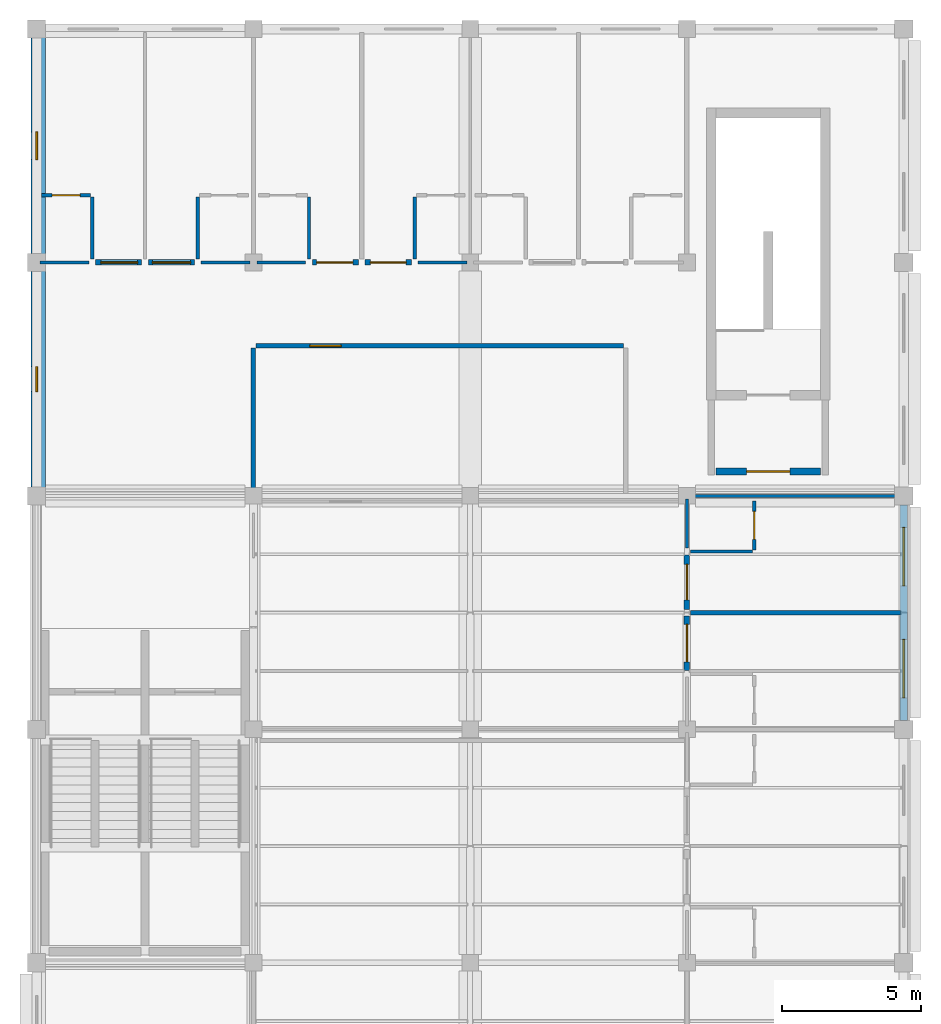
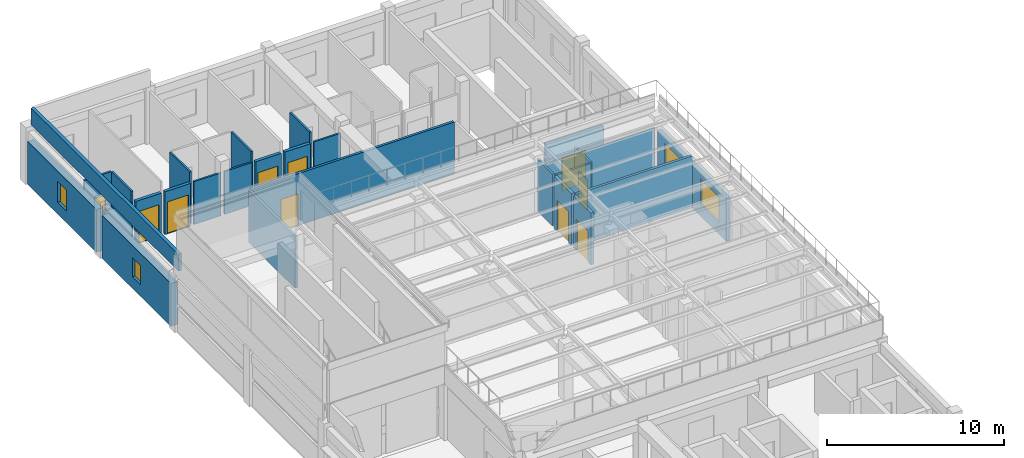
# One storey, part 17 of 20: 27 walls, 10 doors, 4 windows, 14 openings.
"""IFC4 building model written with IfcOpenShell, lengths in metres."""

from ifc_helpers import new_model, si_unit, direction, frame, frame_2d, origin, place, context, subcontext, project, spatial, rectangle, extrude, material, layer, layer_set, type_object, element, fill, save


model = new_model("IFC4")

# Units and contexts
model_context = context("Model", 3, precision=1e-05, world=origin(), true_north=direction((0.0, 1.0)))
body_context = subcontext(model_context, "Body", "Model", "MODEL_VIEW")
ifc_project = project(units=[si_unit("LENGTHUNIT", "METRE"), si_unit("AREAUNIT", "SQUARE_METRE"), si_unit("VOLUMEUNIT", "CUBIC_METRE"), si_unit("PLANEANGLEUNIT", "RADIAN"), si_unit("MASSUNIT", "GRAM", prefix="KILO"), si_unit("THERMODYNAMICTEMPERATUREUNIT", "KELVIN"), si_unit("POWERUNIT", "WATT")], contexts=[model_context])

# Site, building, storey
site_placement = place(None, origin())
site = spatial("IfcSite", under=ifc_project, at=site_placement, CompositionType="ELEMENT")
building_placement = place(site_placement, origin())
building = spatial("IfcBuilding", under=site, at=building_placement, Name="Srebrne Nadtorze General Hospital", CompositionType="ELEMENT")
storey_placement = place(building_placement, frame((0.0, 0.0, 33.89990234375)))
storey = spatial("IfcBuildingStorey", under=building, at=storey_placement, Name="L08", CompositionType="ELEMENT", Elevation=33.89990234375)

# Wall, opening, window
ifc_material_1 = material(Name="Concrete C40/50", Category="concrete")
ifc_layer_1 = layer(ifc_material_1, 0.419921875)
ifc_layer_set_1 = layer_set([ifc_layer_1], Name="Concrete C40/50")
wall_type_1 = type_object("IfcWallType", Name="Acoustic buffer wall 420", PredefinedType="SOLIDWALL", material=ifc_layer_set_1)
wall_1_placement = place(storey_placement, frame((23.39990234375, 75.925048828125, 0.0), z_axis=(0.0, 0.0, 1.0), x_axis=(0.0, 1.0, 0.0)))
wall_1 = element("IfcWall", 1, at=wall_1_placement, inside=storey, type_object=wall_type_1, Name="Exterior wall WL-ENV-L08-0563", PredefinedType="SOLIDWALL", context=body_context, shape_type="SweptSolid", body=[
    extrude(rectangle(XDim=7.75, YDim=0.419921875, at=frame_2d((3.875, 0.0))), origin(), (0.0, 0.0, 1.0), 2.9501953125),
])
opening_1_placement = place(wall_1_placement, frame((3.425048828125, 0.0, 0.800048828125)))
opening_1 = element("IfcOpeningElement", 2, at=opening_1_placement, cuts=wall_1, Name="Opening WN-L08-0946", PredefinedType="OPENING", context=body_context, shape_type="SweptSolid", body=[
    extrude(rectangle(XDim=0.89990234375, YDim=1.300048828125, at=frame_2d((0.449951171875, 0.64990234375))), frame((0.0, 0.221923828125, 0.0), z_axis=(0.0, -1.0, 0.0), x_axis=(1.0, 0.0, 0.0)), (0.0, 0.0, 1.0), 0.44384765625),
])
ifc_material_2 = material(Name="Triple Low-E Glazing", Category="glass")
window_type_1 = type_object("IfcWindowType", Name="Punched clinical window 900x1300", PartitioningType="SINGLE_PANEL", PredefinedType="WINDOW", material=ifc_material_2)
window_1_placement = place(opening_1_placement, origin())
window_1 = element("IfcWindow", 3, at=window_1_placement, inside=storey, type_object=window_type_1, Name="Clinical window WN-L08-0946", OverallHeight=1.300048828125, OverallWidth=0.89990234375, PartitioningType="SINGLE_PANEL", PredefinedType="WINDOW", context=body_context, shape_type="SweptSolid", body=[
    extrude(rectangle(XDim=0.89990234375, YDim=1.300048828125, at=frame_2d((0.449951171875, 0.64990234375))), frame((0.0, 0.030029296875, 0.0), z_axis=(0.0, -1.0, 0.0), x_axis=(1.0, 0.0, 0.0)), (0.0, 0.0, 1.0), 0.06005859375),
])
fill(opening_1, window_1)

wall_2_placement = place(storey_placement, frame((23.39990234375, 84.324951171875, 0.0), z_axis=(0.0, 0.0, 1.0), x_axis=(0.0, 1.0, 0.0)))
wall_2 = element("IfcWall", 4, at=wall_2_placement, inside=storey, type_object=wall_type_1, Name="Exterior wall WL-ENV-L08-0564", PredefinedType="SOLIDWALL", context=body_context, shape_type="SweptSolid", body=[
    extrude(rectangle(XDim=7.75, YDim=0.419921875, at=frame_2d((3.875, 0.0))), origin(), (0.0, 0.0, 1.0), 2.9501953125),
])
opening_2_placement = place(wall_2_placement, frame((3.375, 0.0, 0.800048828125)))
opening_2 = element("IfcOpeningElement", 5, at=opening_2_placement, cuts=wall_2, Name="Opening WN-L08-0947", PredefinedType="OPENING", context=body_context, shape_type="SweptSolid", body=[
    extrude(rectangle(XDim=1.0, YDim=1.449951171875, at=frame_2d((0.5, 0.72509765625))), frame((0.0, 0.221923828125, 0.0), z_axis=(0.0, -1.0, 0.0), x_axis=(1.0, 0.0, 0.0)), (0.0, 0.0, 1.0), 0.44384765625),
])
ifc_material_3 = material(Name="Triple Low-E Glazing", Category="glass")
window_type_2 = type_object("IfcWindowType", Name="Punched clinical window 1000x1450", PartitioningType="SINGLE_PANEL", PredefinedType="WINDOW", material=ifc_material_3)
window_2_placement = place(opening_2_placement, origin())
window_2 = element("IfcWindow", 6, at=window_2_placement, inside=storey, type_object=window_type_2, Name="Clinical window WN-L08-0947", OverallHeight=1.449951171875, OverallWidth=1.0, PartitioningType="SINGLE_PANEL", PredefinedType="WINDOW", context=body_context, shape_type="SweptSolid", body=[
    extrude(rectangle(XDim=1.0, YDim=1.449951171875, at=frame_2d((0.5, 0.72509765625))), frame((0.0, 0.030029296875, 0.0), z_axis=(0.0, -1.0, 0.0), x_axis=(1.0, 0.0, 0.0)), (0.0, 0.0, 1.0), 0.06005859375),
])
fill(opening_2, window_2)

# Wall
ifc_material_4 = material(Name="Gypsum Healthcare Partition")
ifc_layer_2 = layer(ifc_material_4, 0.159912109375)
ifc_layer_set_2 = layer_set([ifc_layer_2], Name="Gypsum Healthcare Partition")
wall_type_2 = type_object("IfcWallType", Name="Clinical partition 160", PredefinedType="PARTITIONING", material=ifc_layer_set_2)
wall_3_placement = place(storey_placement, frame((46.919921875, 71.39990234375, 0.0), z_axis=(0.0, 0.0, 1.0), x_axis=(1.0, 0.0, 0.0)))
element("IfcWall", 7, at=wall_3_placement, inside=storey, type_object=wall_type_2, Name="Ward inter-room partition WL-INT-L08-2511", PredefinedType="PARTITIONING", context=body_context, shape_type="SweptSolid", body=[
    extrude(rectangle(XDim=7.56005859375, YDim=0.159912109375, at=frame_2d((3.780029296875, 0.0))), origin(), (0.0, 0.0, 1.0), 3.580078125),
])

# Wall, opening, door
wall_4_placement = place(storey_placement, frame((31.284912109375, 81.0, 0.0), z_axis=(0.0, 0.0, 1.0), x_axis=(1.0, 0.0, 0.0)))
wall_4 = element("IfcWall", 8, at=wall_4_placement, inside=storey, type_object=wall_type_2, Name="Flight Medical Crew Readiness Room wall WL-INT-L08-2527", PredefinedType="PARTITIONING", context=body_context, shape_type="SweptSolid", body=[
    extrude(rectangle(XDim=13.22998046875, YDim=0.159912109375, at=frame_2d((6.614990234375, 0.0))), origin(), (0.0, 0.0, 1.0), 3.580078125),
])
opening_3_placement = place(wall_4_placement, frame((1.948486328125, 0.0, 0.0)))
opening_3 = element("IfcOpeningElement", 9, at=opening_3_placement, cuts=wall_4, Name="Opening D-L08-0595", PredefinedType="OPENING", context=body_context, shape_type="SweptSolid", body=[
    extrude(rectangle(XDim=1.1201171875, YDim=2.199951171875, at=frame_2d((0.56005859375, 1.10009765625))), frame((0.0, 0.091796875, 0.0), z_axis=(0.0, -1.0, 0.0), x_axis=(1.0, 0.0, 0.0)), (0.0, 0.0, 1.0), 0.183837890625),
])
ifc_material_5 = material(Name="Anodised Aluminium", Category="aluminium")
door_type_1 = type_object("IfcDoorType", Name="Single leaf door 1120x2200", OperationType="NOTDEFINED", PredefinedType="DOOR", material=ifc_material_5)
door_1_placement = place(opening_3_placement, frame((1.1201171875, 0.0, 0.0), z_axis=(0.0, 0.0, 1.0), x_axis=(-1.0, 0.0, 0.0)))
door_1 = element("IfcDoor", 10, at=door_1_placement, inside=storey, type_object=door_type_1, Name="Flight Medical Crew Readiness Room door D-L08-0595", OperationType="SINGLE_SWING_RIGHT", OverallHeight=2.199951171875, OverallWidth=1.1201171875, PredefinedType="DOOR", context=body_context, shape_type="SweptSolid", body=[
    extrude(rectangle(XDim=1.1201171875, YDim=2.199951171875, at=frame_2d((0.56005859375, 1.10009765625))), frame((0.0, 0.02490234375, 0.0), z_axis=(0.0, -1.0, 0.0), x_axis=(1.0, 0.0, 0.0)), (0.0, 0.0, 1.0), 0.050048828125),
])
fill(opening_3, door_1)

# Wall
wall_5_placement = place(storey_placement, frame((31.199951171875, 75.68505859375, 0.0), z_axis=(0.0, 0.0, 1.0), x_axis=(0.0, 1.0, 0.0)))
element("IfcWall", 11, at=wall_5_placement, inside=storey, type_object=wall_type_2, Name="Flight Medical Crew Readiness Room wall WL-INT-L08-2528", PredefinedType="PARTITIONING", context=body_context, shape_type="SweptSolid", body=[
    extrude(rectangle(XDim=5.22998046875, YDim=0.159912109375, at=frame_2d((2.614990234375, 0.0))), origin(), (0.0, 0.0, 1.0), 3.580078125),
])

# Wall, opening, door
ifc_material_6 = material(Name="Gypsum Healthcare Partition")
ifc_layer_3 = layer(ifc_material_6, 0.199951171875)
ifc_layer_set_3 = layer_set([ifc_layer_3], Name="Gypsum Healthcare Partition")
wall_type_3 = type_object("IfcWallType", Name="Compartment wall 200", PredefinedType="STANDARD", material=ifc_layer_set_3)
wall_6_placement = place(storey_placement, frame((25.52001953125, 84.0, 0.0), z_axis=(0.0, 0.0, 1.0), x_axis=(1.0, 0.0, 0.0)))
wall_6 = element("IfcWall", 12, at=wall_6_placement, inside=storey, type_object=wall_type_3, Name="Ward corridor wall WL-INT-L08-2471", PredefinedType="STANDARD", context=body_context, shape_type="SweptSolid", body=[
    extrude(rectangle(XDim=1.659912109375, YDim=0.199951171875, at=frame_2d((0.830078125, 0.0))), origin(), (0.0, 0.0, 1.0), 2.9501953125),
])
opening_4_placement = place(wall_6_placement, frame((0.18994140625, 0.0, 0.0)))
opening_4 = element("IfcOpeningElement", 13, at=opening_4_placement, cuts=wall_6, Name="Opening D-L08-0573", PredefinedType="OPENING", context=body_context, shape_type="SweptSolid", body=[
    extrude(rectangle(XDim=1.320068359375, YDim=2.199951171875, at=frame_2d((0.66015625, 1.10009765625))), frame((0.0, 0.11181640625, 0.0), z_axis=(0.0, -1.0, 0.0), x_axis=(1.0, 0.0, 0.0)), (0.0, 0.0, 1.0), 0.223876953125),
])
ifc_material_7 = material(Name="Anodised Aluminium", Category="aluminium")
door_type_2 = type_object("IfcDoorType", Name="Single leaf door 1320x2200", OperationType="NOTDEFINED", PredefinedType="DOOR", material=ifc_material_7)
door_2_placement = place(opening_4_placement, origin())
door_2 = element("IfcDoor", 14, at=door_2_placement, inside=storey, type_object=door_type_2, Name="Ward patient room door D-L08-0573", OperationType="SINGLE_SWING_RIGHT", OverallHeight=2.199951171875, OverallWidth=1.320068359375, PredefinedType="DOOR", context=body_context, shape_type="SweptSolid", body=[
    extrude(rectangle(XDim=1.320068359375, YDim=2.199951171875, at=frame_2d((0.66015625, 1.10009765625))), frame((0.0, 0.02490234375, 0.0), z_axis=(0.0, -1.0, 0.0), x_axis=(1.0, 0.0, 0.0)), (0.0, 0.0, 1.0), 0.050048828125),
])
fill(opening_4, door_2)

wall_7_placement = place(storey_placement, frame((27.419921875, 84.0, 0.0), z_axis=(0.0, 0.0, 1.0), x_axis=(1.0, 0.0, 0.0)))
wall_7 = element("IfcWall", 15, at=wall_7_placement, inside=storey, type_object=wall_type_3, Name="Ward corridor wall WL-INT-L08-2476", PredefinedType="STANDARD", context=body_context, shape_type="SweptSolid", body=[
    extrude(rectangle(XDim=1.66015625, YDim=0.199951171875, at=frame_2d((0.830078125, 0.0))), origin(), (0.0, 0.0, 1.0), 2.9501953125),
])
opening_5_placement = place(wall_7_placement, frame((0.139892578125, 0.0, 0.0)))
opening_5 = element("IfcOpeningElement", 16, at=opening_5_placement, cuts=wall_7, Name="Opening D-L08-0575", PredefinedType="OPENING", context=body_context, shape_type="SweptSolid", body=[
    extrude(rectangle(XDim=1.3798828125, YDim=2.199951171875, at=frame_2d((0.68994140625, 1.10009765625))), frame((0.0, 0.11181640625, 0.0), z_axis=(0.0, -1.0, 0.0), x_axis=(1.0, 0.0, 0.0)), (0.0, 0.0, 1.0), 0.223876953125),
])
ifc_material_8 = material(Name="Anodised Aluminium", Category="aluminium")
door_type_3 = type_object("IfcDoorType", Name="Single leaf door 1380x2200", OperationType="NOTDEFINED", PredefinedType="DOOR", material=ifc_material_8)
door_3_placement = place(opening_5_placement, origin())
door_3 = element("IfcDoor", 17, at=door_3_placement, inside=storey, type_object=door_type_3, Name="Ward patient room door D-L08-0575", OperationType="SINGLE_SWING_LEFT", OverallHeight=2.199951171875, OverallWidth=1.3798828125, PredefinedType="DOOR", context=body_context, shape_type="SweptSolid", body=[
    extrude(rectangle(XDim=1.3798828125, YDim=2.199951171875, at=frame_2d((0.68994140625, 1.10009765625))), frame((0.0, 0.02490234375, 0.0), z_axis=(0.0, -1.0, 0.0), x_axis=(1.0, 0.0, 0.0)), (0.0, 0.0, 1.0), 0.050048828125),
])
fill(opening_5, door_3)

wall_8_placement = place(storey_placement, frame((33.320068359375, 84.0, 0.0), z_axis=(0.0, 0.0, 1.0), x_axis=(1.0, 0.0, 0.0)))
wall_8 = element("IfcWall", 18, at=wall_8_placement, inside=storey, type_object=wall_type_3, Name="Ward corridor wall WL-INT-L08-2481", PredefinedType="STANDARD", context=body_context, shape_type="SweptSolid", body=[
    extrude(rectangle(XDim=1.659912109375, YDim=0.199951171875, at=frame_2d((0.830078125, 0.0))), origin(), (0.0, 0.0, 1.0), 2.9501953125),
])
opening_6_placement = place(wall_8_placement, frame((0.155029296875, 0.0, 0.0)))
opening_6 = element("IfcOpeningElement", 19, at=opening_6_placement, cuts=wall_8, Name="Opening D-L08-0577", PredefinedType="OPENING", context=body_context, shape_type="SweptSolid", body=[
    extrude(rectangle(XDim=1.300048828125, YDim=2.14990234375, at=frame_2d((0.64990234375, 1.074951171875))), frame((0.0, 0.11181640625, 0.0), z_axis=(0.0, -1.0, 0.0), x_axis=(1.0, 0.0, 0.0)), (0.0, 0.0, 1.0), 0.223876953125),
])
ifc_material_9 = material(Name="Anodised Aluminium", Category="aluminium")
door_type_4 = type_object("IfcDoorType", Name="Single leaf door 1300x2150", OperationType="NOTDEFINED", PredefinedType="DOOR", material=ifc_material_9)
door_4_placement = place(opening_6_placement, origin())
door_4 = element("IfcDoor", 20, at=door_4_placement, inside=storey, type_object=door_type_4, Name="Ward patient room door D-L08-0577", OperationType="SINGLE_SWING_RIGHT", OverallHeight=2.14990234375, OverallWidth=1.300048828125, PredefinedType="DOOR", context=body_context, shape_type="SweptSolid", body=[
    extrude(rectangle(XDim=1.300048828125, YDim=2.14990234375, at=frame_2d((0.64990234375, 1.074951171875))), frame((0.0, 0.02490234375, 0.0), z_axis=(0.0, -1.0, 0.0), x_axis=(1.0, 0.0, 0.0)), (0.0, 0.0, 1.0), 0.050048828125),
])
fill(opening_6, door_4)

wall_9_placement = place(storey_placement, frame((35.219970703125, 84.0, 0.0), z_axis=(0.0, 0.0, 1.0), x_axis=(1.0, 0.0, 0.0)))
wall_9 = element("IfcWall", 21, at=wall_9_placement, inside=storey, type_object=wall_type_3, Name="Ward corridor wall WL-INT-L08-2486", PredefinedType="STANDARD", context=body_context, shape_type="SweptSolid", body=[
    extrude(rectangle(XDim=1.659912109375, YDim=0.199951171875, at=frame_2d((0.830078125, 0.0))), origin(), (0.0, 0.0, 1.0), 2.9501953125),
])
opening_7_placement = place(wall_9_placement, frame((0.18994140625, 0.0, 0.0)))
opening_7 = element("IfcOpeningElement", 22, at=opening_7_placement, cuts=wall_9, Name="Opening D-L08-0579", PredefinedType="OPENING", context=body_context, shape_type="SweptSolid", body=[
    extrude(rectangle(XDim=1.280029296875, YDim=2.14990234375, at=frame_2d((0.64013671875, 1.074951171875))), frame((0.0, 0.11181640625, 0.0), z_axis=(0.0, -1.0, 0.0), x_axis=(1.0, 0.0, 0.0)), (0.0, 0.0, 1.0), 0.223876953125),
])
ifc_material_10 = material(Name="Anodised Aluminium", Category="aluminium")
door_type_5 = type_object("IfcDoorType", Name="Single leaf door 1280x2150", OperationType="NOTDEFINED", PredefinedType="DOOR", material=ifc_material_10)
door_5_placement = place(opening_7_placement, origin())
door_5 = element("IfcDoor", 23, at=door_5_placement, inside=storey, type_object=door_type_5, Name="Ward patient room door D-L08-0579", OperationType="SINGLE_SWING_LEFT", OverallHeight=2.14990234375, OverallWidth=1.280029296875, PredefinedType="DOOR", context=body_context, shape_type="SweptSolid", body=[
    extrude(rectangle(XDim=1.280029296875, YDim=2.14990234375, at=frame_2d((0.64013671875, 1.074951171875))), frame((0.0, 0.02490234375, 0.0), z_axis=(0.0, -1.0, 0.0), x_axis=(1.0, 0.0, 0.0)), (0.0, 0.0, 1.0), 0.050048828125),
])
fill(opening_7, door_5)

wall_10_placement = place(storey_placement, frame((46.800048828125, 69.320068359375, 0.0), z_axis=(0.0, 0.0, 1.0), x_axis=(0.0, 1.0, 0.0)))
wall_10 = element("IfcWall", 24, at=wall_10_placement, inside=storey, type_object=wall_type_3, Name="Ward corridor wall WL-INT-L08-2512", PredefinedType="STANDARD", context=body_context, shape_type="SweptSolid", body=[
    extrude(rectangle(XDim=1.9599609375, YDim=0.199951171875, at=frame_2d((0.97998046875, 0.0))), origin(), (0.0, 0.0, 1.0), 3.580078125),
])
opening_8_placement = place(wall_10_placement, frame((0.304931640625, 0.0, 0.0)))
opening_8 = element("IfcOpeningElement", 25, at=opening_8_placement, cuts=wall_10, Name="Opening D-L08-0589", PredefinedType="OPENING", context=body_context, shape_type="SweptSolid", body=[
    extrude(rectangle(XDim=1.35009765625, YDim=2.14990234375, at=frame_2d((0.675048828125, 1.074951171875))), frame((0.0, 0.11181640625, 0.0), z_axis=(0.0, -1.0, 0.0), x_axis=(1.0, 0.0, 0.0)), (0.0, 0.0, 1.0), 0.223876953125),
])
ifc_material_11 = material(Name="Anodised Aluminium", Category="aluminium")
door_type_6 = type_object("IfcDoorType", Name="Single leaf door 1350x2150", OperationType="NOTDEFINED", PredefinedType="DOOR", material=ifc_material_11)
door_6_placement = place(opening_8_placement, frame((1.35009765625, 0.0, 0.0), z_axis=(0.0, 0.0, 1.0), x_axis=(-1.0, 0.0, 0.0)))
door_6 = element("IfcDoor", 26, at=door_6_placement, inside=storey, type_object=door_type_6, Name="Ward patient room door D-L08-0589", OperationType="SINGLE_SWING_LEFT", OverallHeight=2.14990234375, OverallWidth=1.35009765625, PredefinedType="DOOR", context=body_context, shape_type="SweptSolid", body=[
    extrude(rectangle(XDim=1.35009765625, YDim=2.14990234375, at=frame_2d((0.675048828125, 1.074951171875))), frame((0.0, 0.02490234375, 0.0), z_axis=(0.0, -1.0, 0.0), x_axis=(1.0, 0.0, 0.0)), (0.0, 0.0, 1.0), 0.050048828125),
])
fill(opening_8, door_6)

wall_11_placement = place(storey_placement, frame((46.800048828125, 71.52001953125, 0.0), z_axis=(0.0, 0.0, 1.0), x_axis=(0.0, 1.0, 0.0)))
wall_11 = element("IfcWall", 27, at=wall_11_placement, inside=storey, type_object=wall_type_3, Name="Ward corridor wall WL-INT-L08-2517", PredefinedType="STANDARD", context=body_context, shape_type="SweptSolid", body=[
    extrude(rectangle(XDim=1.9599609375, YDim=0.199951171875, at=frame_2d((0.97998046875, 0.0))), origin(), (0.0, 0.0, 1.0), 3.580078125),
])
opening_9_placement = place(wall_11_placement, frame((0.340087890625, 0.0, 0.0)))
opening_9 = element("IfcOpeningElement", 28, at=opening_9_placement, cuts=wall_11, Name="Opening D-L08-0591", PredefinedType="OPENING", context=body_context, shape_type="SweptSolid", body=[
    extrude(rectangle(XDim=1.280029296875, YDim=2.14990234375, at=frame_2d((0.64013671875, 1.074951171875))), frame((0.0, 0.11181640625, 0.0), z_axis=(0.0, -1.0, 0.0), x_axis=(1.0, 0.0, 0.0)), (0.0, 0.0, 1.0), 0.223876953125),
])
door_7_placement = place(opening_9_placement, frame((1.280029296875, 0.0, 0.0), z_axis=(0.0, 0.0, 1.0), x_axis=(-1.0, 0.0, 0.0)))
door_7 = element("IfcDoor", 29, at=door_7_placement, inside=storey, type_object=door_type_5, Name="Ward patient room door D-L08-0591", OperationType="SINGLE_SWING_LEFT", OverallHeight=2.14990234375, OverallWidth=1.280029296875, PredefinedType="DOOR", context=body_context, shape_type="SweptSolid", body=[
    extrude(rectangle(XDim=1.280029296875, YDim=2.14990234375, at=frame_2d((0.64013671875, 1.074951171875))), frame((0.0, 0.02490234375, 0.0), z_axis=(0.0, -1.0, 0.0), x_axis=(1.0, 0.0, 0.0)), (0.0, 0.0, 1.0), 0.050048828125),
])
fill(opening_9, door_7)

ifc_material_12 = material(Name="Gypsum Healthcare Partition")
ifc_layer_4 = layer(ifc_material_12, 0.239990234375)
ifc_layer_set_4 = layer_set([ifc_layer_4], Name="Gypsum Healthcare Partition")
wall_type_4 = type_object("IfcWallType", Name="Corridor fire wall 240", PredefinedType="STANDARD", material=ifc_layer_set_4)
wall_12_placement = place(storey_placement, frame((47.85009765625, 76.47509765625, 0.0), z_axis=(0.0, 0.0, 1.0), x_axis=(1.0, 0.0, 0.0)))
wall_12 = element("IfcWall", 30, at=wall_12_placement, inside=storey, type_object=wall_type_4, Name="Fire lobby entry wall ST-02 WL-INT-L08-0455", PredefinedType="STANDARD", context=body_context, shape_type="SweptSolid", body=[
    extrude(rectangle(XDim=3.75, YDim=0.239990234375, at=frame_2d((1.875, 0.0))), origin(), (0.0, 0.0, 1.0), 3.60009765625),
])
opening_10_placement = place(wall_12_placement, frame((1.10009765625, 0.0, 0.0)))
opening_10 = element("IfcOpeningElement", 31, at=opening_10_placement, cuts=wall_12, Name="Opening D-L08-0114", PredefinedType="OPENING", context=body_context, shape_type="SweptSolid", body=[
    extrude(rectangle(XDim=1.550048828125, YDim=2.25, at=frame_2d((0.77490234375, 1.125))), frame((0.0, 0.1318359375, 0.0), z_axis=(0.0, -1.0, 0.0), x_axis=(1.0, 0.0, 0.0)), (0.0, 0.0, 1.0), 0.263916015625),
])
ifc_material_13 = material(Name="Anodised Aluminium", Category="aluminium")
door_type_7 = type_object("IfcDoorType", Name="Double leaf door 1550x2250", OperationType="DOUBLE_DOOR_SINGLE_SWING", PredefinedType="DOOR", material=ifc_material_13)
door_8_placement = place(opening_10_placement, origin())
door_8 = element("IfcDoor", 32, at=door_8_placement, inside=storey, type_object=door_type_7, Name="Fire lobby door ST-02 D-L08-0114", OperationType="DOUBLE_DOOR_SINGLE_SWING", OverallHeight=2.25, OverallWidth=1.550048828125, PredefinedType="DOOR", context=body_context, shape_type="SweptSolid", body=[
    extrude(rectangle(XDim=1.550048828125, YDim=2.25, at=frame_2d((0.77490234375, 1.125))), frame((0.0, 0.02490234375, 0.0), z_axis=(0.0, -1.0, 0.0), x_axis=(1.0, 0.0, 0.0)), (0.0, 0.0, 1.0), 0.050048828125),
])
fill(opening_10, door_8)

# Walls
ifc_material_14 = material(Name="Gypsum Healthcare Partition")
ifc_layer_5 = layer(ifc_material_14, 0.1201171875)
ifc_layer_set_5 = layer_set([ifc_layer_5], Name="Gypsum Healthcare Partition")
wall_type_5 = type_object("IfcWallType", Name="En-suite partition 120", PredefinedType="PARTITIONING", material=ifc_layer_set_5)
wall_13_placement = place(storey_placement, frame((23.52001953125, 84.0, 0.0), z_axis=(0.0, 0.0, 1.0), x_axis=(1.0, 0.0, 0.0)))
element("IfcWall", 33, at=wall_13_placement, inside=storey, type_object=wall_type_5, Name="En-suite corridor wall WL-INT-L08-2472", PredefinedType="PARTITIONING", context=body_context, shape_type="SweptSolid", body=[
    extrude(rectangle(XDim=1.760009765625, YDim=0.1201171875, at=frame_2d((0.8798828125, 0.0))), origin(), (0.0, 0.0, 1.0), 2.9501953125),
])
wall_14_placement = place(storey_placement, frame((25.39990234375, 84.1201171875, 0.0), z_axis=(0.0, 0.0, 1.0), x_axis=(0.0, 1.0, 0.0)))
element("IfcWall", 34, at=wall_14_placement, inside=storey, type_object=wall_type_5, Name="En-suite wet wall WL-INT-L08-2473", PredefinedType="PARTITIONING", context=body_context, shape_type="SweptSolid", body=[
    extrude(rectangle(XDim=2.239990234375, YDim=0.1201171875, at=frame_2d((1.1201171875, 0.0))), origin(), (0.0, 0.0, 1.0), 3.580078125),
])

# Wall, opening, door
wall_15_placement = place(storey_placement, frame((23.580078125, 86.419921875, 0.0), z_axis=(0.0, 0.0, 1.0), x_axis=(1.0, 0.0, 0.0)))
wall_15 = element("IfcWall", 35, at=wall_15_placement, inside=storey, type_object=wall_type_5, Name="En-suite wet wall WL-INT-L08-2474", PredefinedType="PARTITIONING", context=body_context, shape_type="SweptSolid", body=[
    extrude(rectangle(XDim=1.760009765625, YDim=0.1201171875, at=frame_2d((0.8798828125, 0.0))), origin(), (0.0, 0.0, 1.0), 3.580078125),
])
opening_11_placement = place(wall_15_placement, frame((0.3798828125, 0.0, 0.0)))
opening_11 = element("IfcOpeningElement", 36, at=opening_11_placement, cuts=wall_15, Name="Opening D-L08-0574", PredefinedType="OPENING", context=body_context, shape_type="SweptSolid", body=[
    extrude(rectangle(XDim=1.0, YDim=2.10009765625, at=frame_2d((0.5, 1.050048828125))), frame((0.0, 0.072021484375, 0.0), z_axis=(0.0, -1.0, 0.0), x_axis=(1.0, 0.0, 0.0)), (0.0, 0.0, 1.0), 0.14404296875),
])
ifc_material_15 = material(Name="Anodised Aluminium", Category="aluminium")
door_type_8 = type_object("IfcDoorType", Name="Single leaf door 1000x2100", OperationType="NOTDEFINED", PredefinedType="DOOR", material=ifc_material_15)
door_9_placement = place(opening_11_placement, frame((1.0, 0.0, 0.0), z_axis=(0.0, 0.0, 1.0), x_axis=(-1.0, 0.0, 0.0)))
door_9 = element("IfcDoor", 37, at=door_9_placement, inside=storey, type_object=door_type_8, Name="En-suite bathroom door D-L08-0574", OperationType="SINGLE_SWING_LEFT", OverallHeight=2.10009765625, OverallWidth=1.0, PredefinedType="DOOR", context=body_context, shape_type="SweptSolid", body=[
    extrude(rectangle(XDim=1.0, YDim=2.10009765625, at=frame_2d((0.5, 1.050048828125))), frame((0.0, 0.02490234375, 0.0), z_axis=(0.0, -1.0, 0.0), x_axis=(1.0, 0.0, 0.0)), (0.0, 0.0, 1.0), 0.050048828125),
])
fill(opening_11, door_9)

# Walls
wall_16_placement = place(storey_placement, frame((29.320068359375, 84.0, 0.0), z_axis=(0.0, 0.0, 1.0), x_axis=(1.0, 0.0, 0.0)))
element("IfcWall", 38, at=wall_16_placement, inside=storey, type_object=wall_type_5, Name="En-suite corridor wall WL-INT-L08-2477", PredefinedType="PARTITIONING", context=body_context, shape_type="SweptSolid", body=[
    extrude(rectangle(XDim=1.760009765625, YDim=0.1201171875, at=frame_2d((0.8798828125, 0.0))), origin(), (0.0, 0.0, 1.0), 2.9501953125),
])
wall_17_placement = place(storey_placement, frame((29.199951171875, 84.1201171875, 0.0), z_axis=(0.0, 0.0, 1.0), x_axis=(0.0, 1.0, 0.0)))
element("IfcWall", 39, at=wall_17_placement, inside=storey, type_object=wall_type_5, Name="En-suite wet wall WL-INT-L08-2478", PredefinedType="PARTITIONING", context=body_context, shape_type="SweptSolid", body=[
    extrude(rectangle(XDim=2.239990234375, YDim=0.1201171875, at=frame_2d((1.1201171875, 0.0))), origin(), (0.0, 0.0, 1.0), 3.580078125),
])
wall_18_placement = place(storey_placement, frame((31.320068359375, 84.0, 0.0), z_axis=(0.0, 0.0, 1.0), x_axis=(1.0, 0.0, 0.0)))
element("IfcWall", 40, at=wall_18_placement, inside=storey, type_object=wall_type_5, Name="En-suite corridor wall WL-INT-L08-2482", PredefinedType="PARTITIONING", context=body_context, shape_type="SweptSolid", body=[
    extrude(rectangle(XDim=1.760009765625, YDim=0.1201171875, at=frame_2d((0.8798828125, 0.0))), origin(), (0.0, 0.0, 1.0), 2.9501953125),
])
wall_19_placement = place(storey_placement, frame((33.199951171875, 84.1201171875, 0.0), z_axis=(0.0, 0.0, 1.0), x_axis=(0.0, 1.0, 0.0)))
element("IfcWall", 41, at=wall_19_placement, inside=storey, type_object=wall_type_5, Name="En-suite wet wall WL-INT-L08-2483", PredefinedType="PARTITIONING", context=body_context, shape_type="SweptSolid", body=[
    extrude(rectangle(XDim=2.239990234375, YDim=0.1201171875, at=frame_2d((1.1201171875, 0.0))), origin(), (0.0, 0.0, 1.0), 3.580078125),
])
wall_20_placement = place(storey_placement, frame((37.1201171875, 84.0, 0.0), z_axis=(0.0, 0.0, 1.0), x_axis=(1.0, 0.0, 0.0)))
element("IfcWall", 42, at=wall_20_placement, inside=storey, type_object=wall_type_5, Name="En-suite corridor wall WL-INT-L08-2487", PredefinedType="PARTITIONING", context=body_context, shape_type="SweptSolid", body=[
    extrude(rectangle(XDim=1.759765625, YDim=0.1201171875, at=frame_2d((0.8798828125, 0.0))), origin(), (0.0, 0.0, 1.0), 2.9501953125),
])
wall_21_placement = place(storey_placement, frame((37.0, 84.1201171875, 0.0), z_axis=(0.0, 0.0, 1.0), x_axis=(0.0, 1.0, 0.0)))
element("IfcWall", 43, at=wall_21_placement, inside=storey, type_object=wall_type_5, Name="En-suite wet wall WL-INT-L08-2488", PredefinedType="PARTITIONING", context=body_context, shape_type="SweptSolid", body=[
    extrude(rectangle(XDim=2.239990234375, YDim=0.1201171875, at=frame_2d((1.1201171875, 0.0))), origin(), (0.0, 0.0, 1.0), 3.580078125),
])
wall_22_placement = place(storey_placement, frame((46.800048828125, 73.719970703125, 0.0), z_axis=(0.0, 0.0, 1.0), x_axis=(0.0, 1.0, 0.0)))
element("IfcWall", 44, at=wall_22_placement, inside=storey, type_object=wall_type_5, Name="En-suite corridor wall WL-INT-L08-2518", PredefinedType="PARTITIONING", context=body_context, shape_type="SweptSolid", body=[
    extrude(rectangle(XDim=1.760009765625, YDim=0.1201171875, at=frame_2d((0.8798828125, 0.0))), origin(), (0.0, 0.0, 1.0), 3.580078125),
])
wall_23_placement = place(storey_placement, frame((46.919921875, 73.60009765625, 0.0), z_axis=(0.0, 0.0, 1.0), x_axis=(1.0, 0.0, 0.0)))
element("IfcWall", 45, at=wall_23_placement, inside=storey, type_object=wall_type_5, Name="En-suite wet wall WL-INT-L08-2519", PredefinedType="PARTITIONING", context=body_context, shape_type="SweptSolid", body=[
    extrude(rectangle(XDim=2.239990234375, YDim=0.1201171875, at=frame_2d((1.1201171875, 0.0))), origin(), (0.0, 0.0, 1.0), 3.580078125),
])

# Wall, opening, door
wall_24_placement = place(storey_placement, frame((49.219970703125, 73.659912109375, 0.0), z_axis=(0.0, 0.0, 1.0), x_axis=(0.0, 1.0, 0.0)))
wall_24 = element("IfcWall", 46, at=wall_24_placement, inside=storey, type_object=wall_type_5, Name="En-suite wet wall WL-INT-L08-2520", PredefinedType="PARTITIONING", context=body_context, shape_type="SweptSolid", body=[
    extrude(rectangle(XDim=1.760009765625, YDim=0.1201171875, at=frame_2d((0.8798828125, 0.0))), origin(), (0.0, 0.0, 1.0), 3.580078125),
])
opening_12_placement = place(wall_24_placement, frame((0.3798828125, 0.0, 0.0)))
opening_12 = element("IfcOpeningElement", 47, at=opening_12_placement, cuts=wall_24, Name="Opening D-L08-0592", PredefinedType="OPENING", context=body_context, shape_type="SweptSolid", body=[
    extrude(rectangle(XDim=1.0, YDim=2.10009765625, at=frame_2d((0.5, 1.050048828125))), frame((0.0, 0.072021484375, 0.0), z_axis=(0.0, -1.0, 0.0), x_axis=(1.0, 0.0, 0.0)), (0.0, 0.0, 1.0), 0.14404296875),
])
door_10_placement = place(opening_12_placement, origin())
door_10 = element("IfcDoor", 48, at=door_10_placement, inside=storey, type_object=door_type_8, Name="En-suite bathroom door D-L08-0592", OperationType="SINGLE_SWING_LEFT", OverallHeight=2.10009765625, OverallWidth=1.0, PredefinedType="DOOR", context=body_context, shape_type="SweptSolid", body=[
    extrude(rectangle(XDim=1.0, YDim=2.10009765625, at=frame_2d((0.5, 1.050048828125))), frame((0.0, 0.02490234375, 0.0), z_axis=(0.0, -1.0, 0.0), x_axis=(1.0, 0.0, 0.0)), (0.0, 0.0, 1.0), 0.050048828125),
])
fill(opening_12, door_10)

# Walls
ifc_material_16 = material(Name="Concrete C35/45 precast", Category="concrete")
ifc_layer_6 = layer(ifc_material_16, 0.219970703125)
ifc_layer_set_6 = layer_set([ifc_layer_6], Name="Concrete C35/45 precast")
wall_type_6 = type_object("IfcWallType", Name="Roof parapet wall 220", PredefinedType="PARAPET", material=ifc_layer_set_6)
wall_25_placement = place(storey_placement, frame((23.60009765625, 75.60009765625, 3.900146484375), z_axis=(0.0, 0.0, 1.0), x_axis=(0.0, 1.0, 0.0)))
element("IfcWall", 49, at=wall_25_placement, inside=storey, type_object=wall_type_6, Name="Roof parapet wall WP-L08-01", PredefinedType="PARAPET", context=body_context, shape_type="SweptSolid", body=[
    extrude(rectangle(XDim=16.599853515625, YDim=0.219970703125, at=frame_2d((8.2998046875, 0.0))), origin(), (0.0, 0.0, 1.0), 1.14990234375),
])
ifc_material_17 = material(Name="Gypsum Healthcare Partition")
ifc_layer_7 = layer(ifc_material_17, 0.10009765625)
ifc_layer_set_7 = layer_set([ifc_layer_7], Name="Gypsum Healthcare Partition")
wall_type_7 = type_object("IfcWallType", Name="Shaft lining wall 100", PredefinedType="PARTITIONING", material=ifc_layer_set_7)
wall_26_placement = place(storey_placement, frame((46.919921875, 75.60009765625, 0.0), z_axis=(0.0, 0.0, 1.0), x_axis=(1.0, 0.0, 0.0)))
element("IfcWall", 50, at=wall_26_placement, inside=storey, type_object=wall_type_7, Name="Ward inter-room partition WL-INT-L08-2516", PredefinedType="PARTITIONING", context=body_context, shape_type="SweptSolid", body=[
    extrude(rectangle(XDim=7.56005859375, YDim=0.10009765625, at=frame_2d((3.780029296875, 0.0))), origin(), (0.0, 0.0, 1.0), 2.9501953125),
])

# Wall, openings, windows
ifc_material_18 = material(Name="Concrete C35/45 precast", Category="concrete")
ifc_layer_8 = layer(ifc_material_18, 0.280029296875)
ifc_layer_set_8 = layer_set([ifc_layer_8], Name="Concrete C35/45 precast")
wall_type_8 = type_object("IfcWallType", Name="Spandrel wall 280", PredefinedType="STANDARD", material=ifc_layer_set_8)
wall_27_placement = place(storey_placement, frame((54.60009765625, 67.52490234375, 0.0), z_axis=(0.0, 0.0, 1.0), x_axis=(0.0, 1.0, 0.0)))
wall_27 = element("IfcWall", 51, at=wall_27_placement, inside=storey, type_object=wall_type_8, Name="Exterior wall WL-ENV-L08-0567", PredefinedType="STANDARD", context=body_context, shape_type="SweptSolid", body=[
    extrude(rectangle(XDim=7.75, YDim=0.280029296875, at=frame_2d((3.875, 0.0))), origin(), (0.0, 0.0, 1.0), 2.9501953125),
])
opening_13_placement = place(wall_27_placement, frame((0.80908203125, 0.0, 0.800048828125)))
opening_13 = element("IfcOpeningElement", 52, at=opening_13_placement, cuts=wall_27, Name="Opening WN-L08-0952", PredefinedType="OPENING", context=body_context, shape_type="SweptSolid", body=[
    extrude(rectangle(XDim=2.10009765625, YDim=1.75, at=frame_2d((1.050048828125, 0.875))), frame((0.0, 0.15185546875, 0.0), z_axis=(0.0, -1.0, 0.0), x_axis=(1.0, 0.0, 0.0)), (0.0, 0.0, 1.0), 0.303955078125),
])
opening_14_placement = place(wall_27_placement, frame((4.841064453125, 0.0, 0.800048828125)))
opening_14 = element("IfcOpeningElement", 53, at=opening_14_placement, cuts=wall_27, Name="Opening WN-L08-0953", PredefinedType="OPENING", context=body_context, shape_type="SweptSolid", body=[
    extrude(rectangle(XDim=2.10009765625, YDim=1.75, at=frame_2d((1.050048828125, 0.875))), frame((0.0, 0.15185546875, 0.0), z_axis=(0.0, -1.0, 0.0), x_axis=(1.0, 0.0, 0.0)), (0.0, 0.0, 1.0), 0.303955078125),
])
ifc_material_19 = material(Name="Triple Low-E Glazing", Category="glass")
window_type_3 = type_object("IfcWindowType", Name="Punched clinical window 2100x1750", PartitioningType="DOUBLE_PANEL_VERTICAL", PredefinedType="WINDOW", material=ifc_material_19)
window_3_placement = place(opening_13_placement, origin())
window_3 = element("IfcWindow", 54, at=window_3_placement, inside=storey, type_object=window_type_3, Name="Clinical window WN-L08-0952", OverallHeight=1.75, OverallWidth=2.10009765625, PartitioningType="DOUBLE_PANEL_VERTICAL", PredefinedType="WINDOW", context=body_context, shape_type="SweptSolid", body=[
    extrude(rectangle(XDim=2.10009765625, YDim=1.75, at=frame_2d((1.050048828125, 0.875))), frame((0.0, 0.030029296875, 0.0), z_axis=(0.0, -1.0, 0.0), x_axis=(1.0, 0.0, 0.0)), (0.0, 0.0, 1.0), 0.06005859375),
])
fill(opening_13, window_3)
window_4_placement = place(opening_14_placement, origin())
window_4 = element("IfcWindow", 55, at=window_4_placement, inside=storey, type_object=window_type_3, Name="Clinical window WN-L08-0953", OverallHeight=1.75, OverallWidth=2.10009765625, PartitioningType="DOUBLE_PANEL_VERTICAL", PredefinedType="WINDOW", context=body_context, shape_type="SweptSolid", body=[
    extrude(rectangle(XDim=2.10009765625, YDim=1.75, at=frame_2d((1.050048828125, 0.875))), frame((0.0, 0.030029296875, 0.0), z_axis=(0.0, -1.0, 0.0), x_axis=(1.0, 0.0, 0.0)), (0.0, 0.0, 1.0), 0.06005859375),
])
fill(opening_14, window_4)

save(model, "model.ifc")
